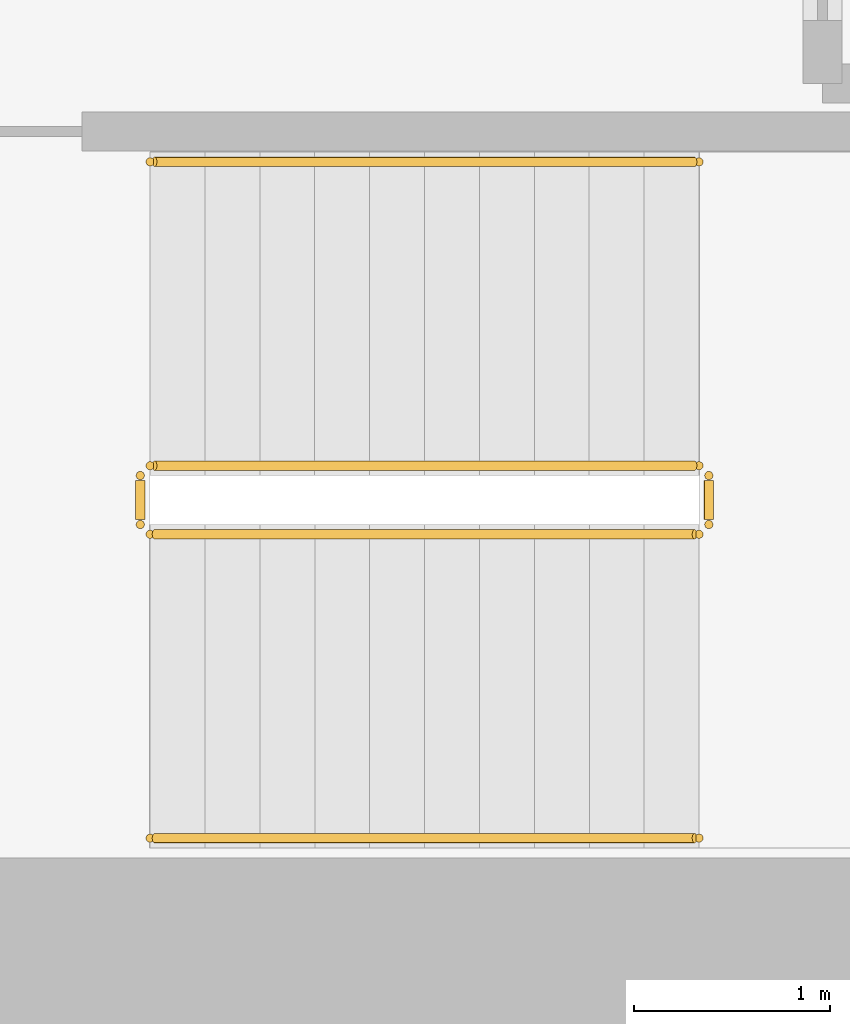
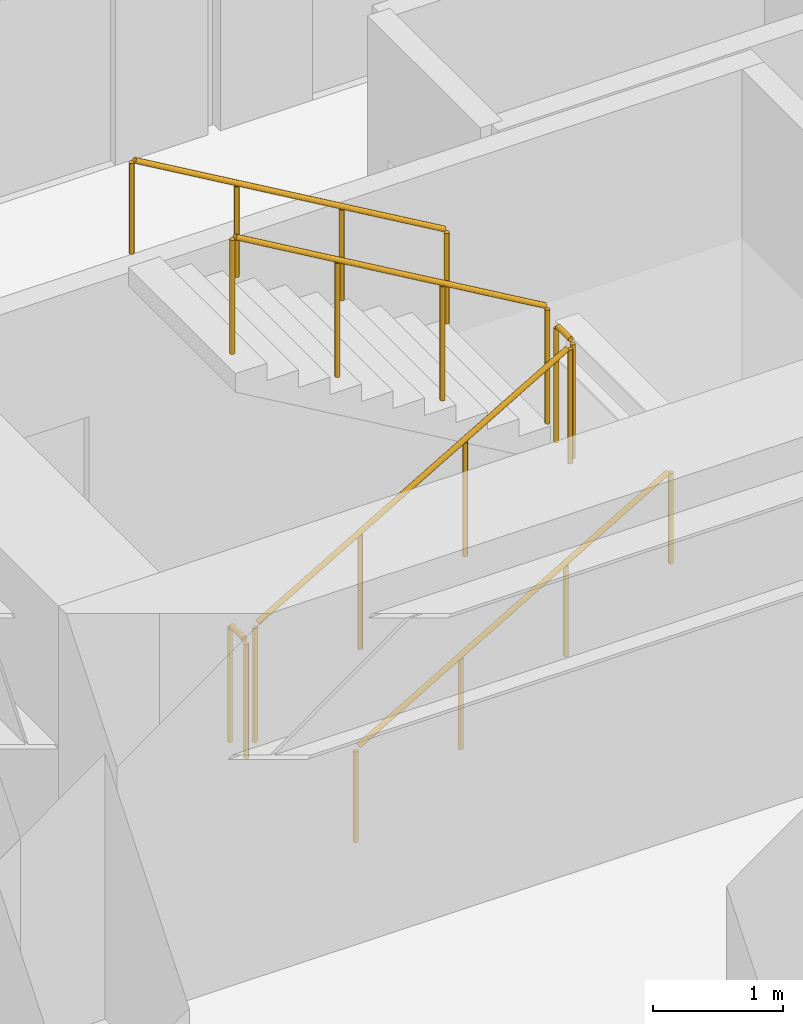
# One storey, part 13 of 13: 6 railings.
"""IFC4 building model written with IfcOpenShell, lengths in metres."""

from ifc_helpers import new_model, si_unit, direction, frame, origin, origin_2d, place, context, subcontext, project, spatial, circle, extrude, source, transform, mapped, material, layer, layer_set, type_object, element, save


model = new_model("IFC4")

# Units and contexts
model_context = context("Model", 3, precision=1e-05, world=origin(), true_north=direction((0.0, 1.0)))
body_context = subcontext(model_context, "Body", "Model", "MODEL_VIEW")
ifc_project = project(units=[si_unit("LENGTHUNIT", "METRE"), si_unit("AREAUNIT", "SQUARE_METRE"), si_unit("VOLUMEUNIT", "CUBIC_METRE"), si_unit("PLANEANGLEUNIT", "RADIAN"), si_unit("MASSUNIT", "GRAM", prefix="KILO")], contexts=[model_context])

# Site, building, storey
site_placement = place(None, origin())
site = spatial("IfcSite", under=ifc_project, at=site_placement, CompositionType="ELEMENT")
building_placement = place(site_placement, origin())
building = spatial("IfcBuilding", under=site, at=building_placement, Name="Kharzan Plaza Tower", CompositionType="ELEMENT")
storey_placement = place(building_placement, frame((0.0, 0.0, 65.699951171875)))
storey = spatial("IfcBuildingStorey", under=building, at=storey_placement, Name="L17", CompositionType="ELEMENT", Elevation=65.699951171875)

# Railings
ifc_material_1 = material(Name="Painted Galvanized Architectural Steel", Category="steel")
ifc_layer_1 = layer(ifc_material_1, 0.074951171875)
ifc_layer_set_1 = layer_set([ifc_layer_1], Name="Painted Galvanized Architectural Steel")
railing_type_1 = type_object("IfcRailingType", Name="RL-GUARD-1120", PredefinedType="BALUSTRADE", material=ifc_layer_set_1)
shared_shape_1 = source(origin(), body_context, "Body", "SweptSolid", [
    extrude(circle(Radius=0.02392578125, at=origin_2d()), frame((0.0, 0.0263671875, 1.09619140625), z_axis=(0.0, 1.0, 0.0), x_axis=(-1.0, 0.0, 0.0)), (0.0, 0.0, 1.0), 0.197021484375),
    extrude(circle(Radius=0.02099609375, at=origin_2d()), origin(), (0.0, 0.0, 1.0), 1.072021484375),
    extrude(circle(Radius=0.02099609375, at=origin_2d()), frame((0.0, 0.25, 0.0)), (0.0, 0.0, 1.0), 1.072021484375),
])
for number, where, name in (
    (1, (41.10009765625, 6.64990234375, 1.800048828125), "L17 ST-3 stair guard 2"),
    (2, (38.199951171875, 6.64990234375, 0.0), "L17 ST-3 stair guard 4"),
):
    element("IfcRailing", number, at=place(storey_placement, frame(where)), inside=storey, type_object=railing_type_1, Name=name, PredefinedType="BALUSTRADE", context=body_context, shape_type="MappedRepresentation", body=[
        mapped(shared_shape_1, transform((0.0, 0.0, 0.0), x_axis=(1.0, 0.0, 0.0), y_axis=(0.0, 1.0, 0.0), z_axis=(0.0, 0.0, 1.0))),
    ])
shared_shape_2 = source(origin(), body_context, "Body", "SweptSolid", [
    extrude(circle(Radius=0.02392578125, at=origin_2d()), frame((0.02294921875, 0.0, 1.109375), z_axis=(0.863360870873, 0.0, 0.504586966384), x_axis=(0.0, 1.0, 0.0)), (0.0, 0.0, 1.0), 3.190185546875),
    extrude(circle(Radius=0.02099609375, at=origin_2d()), origin(), (0.0, 0.0, 1.0), 1.072021484375),
    extrude(circle(Radius=0.02099609375, at=origin_2d()), frame((0.933349609375, 0.0, 0.54541015625)), (0.0, 0.0, 1.0), 1.072021484375),
    extrude(circle(Radius=0.02099609375, at=origin_2d()), frame((1.86669921875, 0.0, 1.091064453125)), (0.0, 0.0, 1.0), 1.072021484375),
    extrude(circle(Radius=0.02099609375, at=origin_2d()), frame((2.800048828125, 0.0, 1.636474609375)), (0.0, 0.0, 1.0), 1.072021484375),
])
railing_1_placement = place(storey_placement, frame((38.25, 6.60009765625, 0.16357421875)))
element("IfcRailing", 3, at=railing_1_placement, inside=storey, type_object=railing_type_1, Name="L17 ST-3 stair guard 1", PredefinedType="BALUSTRADE", context=body_context, shape_type="MappedRepresentation", body=[
    mapped(shared_shape_2, transform((0.0, 0.0, 0.0), x_axis=(1.0, 0.0, 0.0), y_axis=(0.0, 1.0, 0.0), z_axis=(0.0, 0.0, 1.0))),
])
shared_shape_3 = source(origin(), body_context, "Body", "SweptSolid", [
    extrude(circle(Radius=0.02392578125, at=origin_2d()), frame((-0.02294921875, 0.0, 1.109375), z_axis=(-0.863360870873, 0.0, 0.504586966384), x_axis=(0.0, -1.0, 0.0)), (0.0, 0.0, 1.0), 3.190185546875),
    extrude(circle(Radius=0.02099609375, at=origin_2d()), origin(), (0.0, 0.0, 1.0), 1.072021484375),
    extrude(circle(Radius=0.02099609375, at=origin_2d()), frame((-0.933349609375, 0.0, 0.54541015625)), (0.0, 0.0, 1.0), 1.072021484375),
    extrude(circle(Radius=0.02099609375, at=origin_2d()), frame((-1.86669921875, 0.0, 1.091064453125)), (0.0, 0.0, 1.0), 1.072021484375),
    extrude(circle(Radius=0.02099609375, at=origin_2d()), frame((-2.800048828125, 0.0, 1.636474609375)), (0.0, 0.0, 1.0), 1.072021484375),
])
railing_2_placement = place(storey_placement, frame((41.050048828125, 6.949951171875, 1.963623046875)))
element("IfcRailing", 4, at=railing_2_placement, inside=storey, type_object=railing_type_1, Name="L17 ST-3 stair guard 3", PredefinedType="BALUSTRADE", context=body_context, shape_type="MappedRepresentation", body=[
    mapped(shared_shape_3, transform((0.0, 0.0, 0.0), x_axis=(1.0, 0.0, 0.0), y_axis=(0.0, 1.0, 0.0), z_axis=(0.0, 0.0, 1.0))),
])
ifc_material_2 = material(Name="Brushed Stainless Steel", Category="steel")
ifc_layer_2 = layer(ifc_material_2, 0.050048828125)
ifc_layer_set_2 = layer_set([ifc_layer_2], Name="Brushed Stainless Steel")
railing_type_2 = type_object("IfcRailingType", Name="RL-STAIR-HR920", PredefinedType="HANDRAIL", material=ifc_layer_set_2)
shared_shape_4 = source(origin(), body_context, "Body", "SweptSolid", [
    extrude(circle(Radius=0.02392578125, at=origin_2d()), frame((0.02294921875, 0.0, 0.88916015625), z_axis=(0.863360870873, 0.0, 0.504586966384), x_axis=(0.0, 1.0, 0.0)), (0.0, 0.0, 1.0), 3.190185546875),
    extrude(circle(Radius=0.02099609375, at=origin_2d()), origin(), (0.0, 0.0, 1.0), 0.851806640625),
    extrude(circle(Radius=0.02099609375, at=origin_2d()), frame((0.933349609375, 0.0, 0.54541015625)), (0.0, 0.0, 1.0), 0.851806640625),
    extrude(circle(Radius=0.02099609375, at=origin_2d()), frame((1.86669921875, 0.0, 1.091064453125)), (0.0, 0.0, 1.0), 0.851806640625),
    extrude(circle(Radius=0.02099609375, at=origin_2d()), frame((2.800048828125, 0.0, 1.636474609375)), (0.0, 0.0, 1.0), 0.851806640625),
])
railing_3_placement = place(storey_placement, frame((38.25, 5.050048828125, 0.16357421875)))
element("IfcRailing", 5, at=railing_3_placement, inside=storey, type_object=railing_type_2, Name="L17 ST-3 stair handrail 1", PredefinedType="HANDRAIL", context=body_context, shape_type="MappedRepresentation", body=[
    mapped(shared_shape_4, transform((0.0, 0.0, 0.0), x_axis=(1.0, 0.0, 0.0), y_axis=(0.0, 1.0, 0.0), z_axis=(0.0, 0.0, 1.0))),
])
shared_shape_5 = source(origin(), body_context, "Body", "SweptSolid", [
    extrude(circle(Radius=0.02392578125, at=origin_2d()), frame((-0.02294921875, 0.0, 0.88916015625), z_axis=(-0.863360870873, 0.0, 0.504586966384), x_axis=(0.0, -1.0, 0.0)), (0.0, 0.0, 1.0), 3.190185546875),
    extrude(circle(Radius=0.02099609375, at=origin_2d()), origin(), (0.0, 0.0, 1.0), 0.851806640625),
    extrude(circle(Radius=0.02099609375, at=origin_2d()), frame((-0.933349609375, 0.0, 0.54541015625)), (0.0, 0.0, 1.0), 0.851806640625),
    extrude(circle(Radius=0.02099609375, at=origin_2d()), frame((-1.86669921875, 0.0, 1.091064453125)), (0.0, 0.0, 1.0), 0.851806640625),
    extrude(circle(Radius=0.02099609375, at=origin_2d()), frame((-2.800048828125, 0.0, 1.636474609375)), (0.0, 0.0, 1.0), 0.851806640625),
])
railing_4_placement = place(storey_placement, frame((41.050048828125, 8.5, 1.963623046875)))
element("IfcRailing", 6, at=railing_4_placement, inside=storey, type_object=railing_type_2, Name="L17 ST-3 stair handrail 2", PredefinedType="HANDRAIL", context=body_context, shape_type="MappedRepresentation", body=[
    mapped(shared_shape_5, transform((0.0, 0.0, 0.0), x_axis=(1.0, 0.0, 0.0), y_axis=(0.0, 1.0, 0.0), z_axis=(0.0, 0.0, 1.0))),
])

save(model, "model.ifc")
